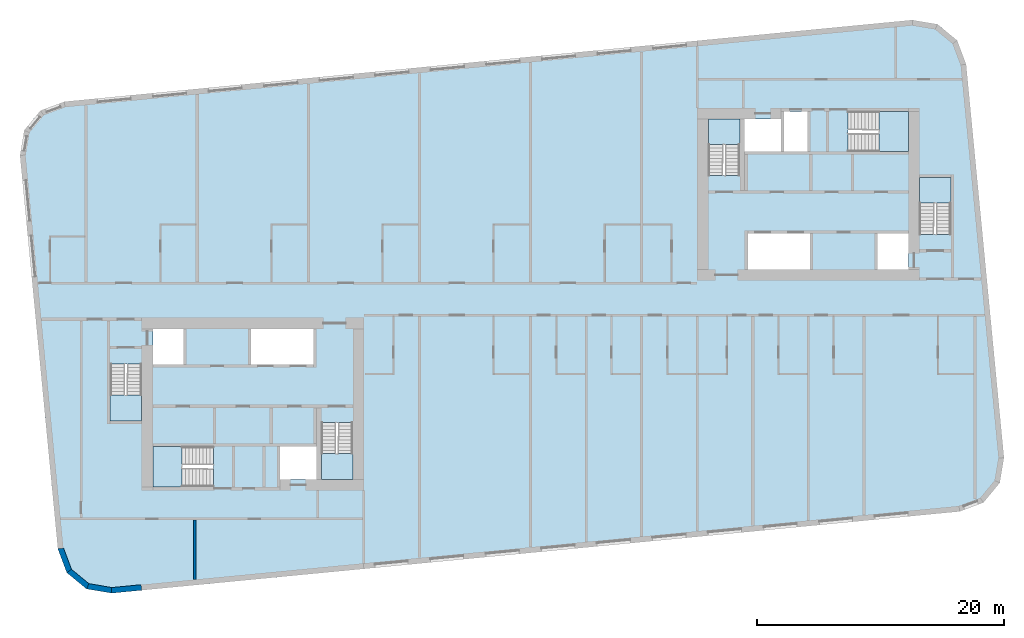
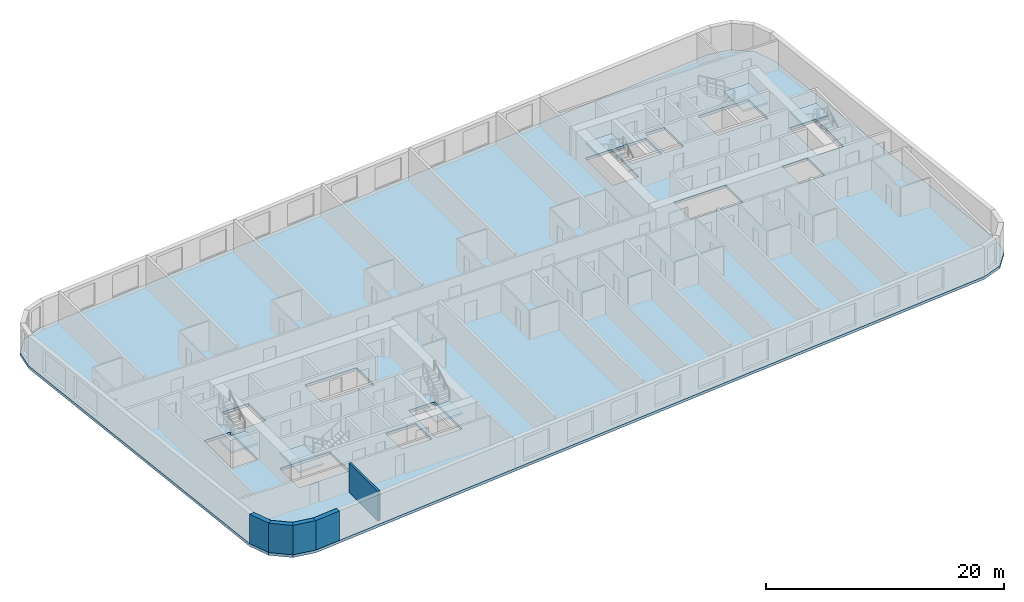
# One storey, part 1 of 11: 7 slabs, 5 walls, 6 elements without a shape of their own.
"""IFC4 building model written with IfcOpenShell, lengths in metres."""

from ifc_helpers import new_model, si_unit, direction, frame, frame_2d, origin, place, context, subcontext, project, spatial, polyline, rectangle, outline, extrude, material, layer, layer_set, type_object, element, aggregate, save


model = new_model("IFC4")

# Units and contexts
model_context = context("Model", 3, precision=1e-05, world=origin(), true_north=direction((0.0, 1.0)))
body_context = subcontext(model_context, "Body", "Model", "MODEL_VIEW")
ifc_project = project(units=[si_unit("LENGTHUNIT", "METRE"), si_unit("AREAUNIT", "SQUARE_METRE"), si_unit("VOLUMEUNIT", "CUBIC_METRE"), si_unit("PLANEANGLEUNIT", "RADIAN"), si_unit("MASSUNIT", "GRAM", prefix="KILO")], contexts=[model_context])

# Site, building, storey
site_placement = place(None, origin())
site = spatial("IfcSite", under=ifc_project, at=site_placement, CompositionType="ELEMENT")
building_placement = place(site_placement, origin())
building = spatial("IfcBuilding", under=site, at=building_placement, Name="Kajstack Hotel Tower", CompositionType="ELEMENT")
storey_placement = place(building_placement, frame((0.0, 0.0, 285.0)))
storey = spatial("IfcBuildingStorey", under=building, at=storey_placement, Name="L71", CompositionType="ELEMENT", Elevation=285.0)

# Slab
ifc_material_1 = material(Name="Concrete C40/50", Category="concrete")
ifc_layer_1 = layer(ifc_material_1, 0.280029296875)
ifc_layer_set_1 = layer_set([ifc_layer_1], Name="RC slab 280 C40/50 guest")
slab_type_1 = type_object("IfcSlabType", Name="RC slab 280 C40/50 guest", PredefinedType="FLOOR", material=ifc_layer_set_1)
slab_1_placement = place(storey_placement, frame((0.0, 0.0, -0.280029296875)))
element("IfcSlab", 1, at=slab_1_placement, inside=storey, type_object=slab_type_1, Name="S-slab-L71", PredefinedType="FLOOR", context=body_context, shape_type="SweptSolid", body=[
    extrude(outline(polyline([(-41.356201171875, 11.63623046875), (-38.289306640625, -20.21630859375), (-37.564208984375, -22.15576171875), (-35.96630859375, -23.472900390625), (-33.92431640625, -23.814697265625), (34.758056640625, -17.201171875), (36.697509765625, -16.47607421875), (38.014404296875, -14.87841796875), (38.356201171875, -12.836181640625), (35.289306640625, 19.016357421875), (34.564208984375, 20.955810546875), (32.96630859375, 22.27294921875), (30.92431640625, 22.614501953125), (-37.758056640625, 16.001220703125), (-39.697509765625, 15.276123046875), (-41.014404296875, 13.678466796875), (-41.356201171875, 11.63623046875)]), holes=[polyline([(-22.64990234375, -5.300048828125), (-22.64990234375, -2.39990234375), (-17.60009765625, -2.39990234375), (-17.60009765625, -5.300048828125), (-22.64990234375, -5.300048828125)]), polyline([(-20.300048828125, -14.60009765625), (-17.35009765625, -14.60009765625), (-17.35009765625, -11.949951171875), (-20.300048828125, -11.949951171875), (-20.300048828125, -14.60009765625)]), polyline([(-30.60009765625, -5.300048828125), (-28.10009765625, -5.300048828125), (-28.10009765625, -2.39990234375), (-30.60009765625, -2.39990234375), (-30.60009765625, -5.300048828125)]), polyline([(17.60009765625, 2.39990234375), (17.60009765625, 5.300048828125), (22.64990234375, 5.300048828125), (22.64990234375, 2.39990234375), (17.60009765625, 2.39990234375)]), polyline([(20.300048828125, 14.60009765625), (17.35009765625, 14.60009765625), (17.35009765625, 11.949951171875), (20.300048828125, 11.949951171875), (20.300048828125, 14.60009765625)]), polyline([(30.60009765625, 5.300048828125), (28.10009765625, 5.300048828125), (28.10009765625, 2.39990234375), (30.60009765625, 2.39990234375), (30.60009765625, 5.300048828125)]), polyline([(-34.050048828125, -9.85009765625), (-31.5, -9.85009765625), (-31.5, -5.25), (-34.050048828125, -5.25), (-34.050048828125, -9.85009765625)]), polyline([(-16.949951171875, -14.60009765625), (-14.39990234375, -14.60009765625), (-14.39990234375, -10.0), (-16.949951171875, -10.0), (-16.949951171875, -14.60009765625)]), polyline([(-30.60009765625, -15.199951171875), (-25.699951171875, -15.199951171875), (-25.699951171875, -11.949951171875), (-30.60009765625, -11.949951171875), (-30.60009765625, -15.199951171875)]), polyline([(34.050048828125, 9.85009765625), (31.5, 9.85009765625), (31.5, 5.25), (34.050048828125, 5.25), (34.050048828125, 9.85009765625)]), polyline([(16.949951171875, 14.60009765625), (14.39990234375, 14.60009765625), (14.39990234375, 10.0), (16.949951171875, 10.0), (16.949951171875, 14.60009765625)]), polyline([(30.60009765625, 15.199951171875), (25.699951171875, 15.199951171875), (25.699951171875, 11.949951171875), (30.60009765625, 11.949951171875), (30.60009765625, 15.199951171875)]), polyline([(22.425048828125, 15.199951171875), (22.425048828125, 11.949951171875), (20.550048828125, 11.949951171875), (20.550048828125, 15.199951171875), (22.425048828125, 15.199951171875)])]), origin(), (0.0, 0.0, 1.0), 0.280029296875),
])

# Stair, slab
stair_type_1 = type_object("IfcStairType", Name="Exit stair 1200", PredefinedType="HALF_TURN_STAIR", material=ifc_material_1)
stair_1_placement = place(storey_placement, origin())
stair_1 = element("IfcStair", 2, at=stair_1_placement, inside=storey, type_object=stair_type_1, Name="L71 stair W1", PredefinedType="HALF_TURN_STAIR")
ifc_layer_2 = layer(ifc_material_1, 0.199951171875)
ifc_layer_set_2 = layer_set([ifc_layer_2], Name="Stair landing 200")
slab_type_2 = type_object("IfcSlabType", Name="Stair landing 200", PredefinedType="LANDING", material=ifc_layer_set_2)
slab_2_placement = place(storey_placement, frame((0.0, 0.0, 1.449951171875)))
slab_2 = element("IfcSlab", 3, at=slab_2_placement, type_object=slab_type_2, Name="W1 landing 1", PredefinedType="LANDING", context=body_context, shape_type="SweptSolid", body=[
    extrude(outline(polyline([(-34.050048828125, -7.77001953125), (-34.050048828125, -9.85009765625), (-31.5, -9.85009765625), (-31.5, -7.77001953125), (-34.050048828125, -7.77001953125)])), origin(), (0.0, 0.0, 1.0), 0.199951171875),
])
aggregate(stair_1, [slab_2])

stair_2_placement = place(storey_placement, origin())
stair_2 = element("IfcStair", 4, at=stair_2_placement, inside=storey, type_object=stair_type_1, Name="L71 stair W2", PredefinedType="HALF_TURN_STAIR")
slab_3_placement = place(storey_placement, frame((0.0, 0.0, 1.449951171875)))
slab_3 = element("IfcSlab", 5, at=slab_3_placement, type_object=slab_type_2, Name="W2 landing 1", PredefinedType="LANDING", context=body_context, shape_type="SweptSolid", body=[
    extrude(outline(polyline([(-16.949951171875, -12.52001953125), (-16.949951171875, -14.60009765625), (-14.39990234375, -14.60009765625), (-14.39990234375, -12.52001953125), (-16.949951171875, -12.52001953125)])), origin(), (0.0, 0.0, 1.0), 0.199951171875),
])
aggregate(stair_2, [slab_3])

stair_type_2 = type_object("IfcStairType", Name="Exit stair 1500", PredefinedType="HALF_TURN_STAIR", material=ifc_material_1)
stair_3_placement = place(storey_placement, origin())
stair_3 = element("IfcStair", 6, at=stair_3_placement, inside=storey, type_object=stair_type_2, Name="L71 stair W3", PredefinedType="HALF_TURN_STAIR")
slab_4_placement = place(storey_placement, frame((0.0, 0.0, 1.449951171875)))
slab_4 = element("IfcSlab", 7, at=slab_4_placement, type_object=slab_type_2, Name="W3 landing 1", PredefinedType="LANDING", context=body_context, shape_type="SweptSolid", body=[
    extrude(outline(polyline([(-28.219970703125, -11.949951171875), (-30.60009765625, -11.949951171875), (-30.60009765625, -15.199951171875), (-28.219970703125, -15.199951171875), (-28.219970703125, -11.949951171875)])), origin(), (0.0, 0.0, 1.0), 0.199951171875),
])
aggregate(stair_3, [slab_4])

stair_4_placement = place(storey_placement, origin())
stair_4 = element("IfcStair", 8, at=stair_4_placement, inside=storey, type_object=stair_type_1, Name="L71 stair E1", PredefinedType="HALF_TURN_STAIR")
slab_5_placement = place(storey_placement, frame((0.0, 0.0, 1.449951171875)))
slab_5 = element("IfcSlab", 9, at=slab_5_placement, type_object=slab_type_2, Name="E1 landing 1", PredefinedType="LANDING", context=body_context, shape_type="SweptSolid", body=[
    extrude(outline(polyline([(34.050048828125, 7.77001953125), (34.050048828125, 9.85009765625), (31.5, 9.85009765625), (31.5, 7.77001953125), (34.050048828125, 7.77001953125)])), origin(), (0.0, 0.0, 1.0), 0.199951171875),
])
aggregate(stair_4, [slab_5])

stair_5_placement = place(storey_placement, origin())
stair_5 = element("IfcStair", 10, at=stair_5_placement, inside=storey, type_object=stair_type_1, Name="L71 stair E2", PredefinedType="HALF_TURN_STAIR")
slab_6_placement = place(storey_placement, frame((0.0, 0.0, 1.449951171875)))
slab_6 = element("IfcSlab", 11, at=slab_6_placement, type_object=slab_type_2, Name="E2 landing 1", PredefinedType="LANDING", context=body_context, shape_type="SweptSolid", body=[
    extrude(outline(polyline([(16.949951171875, 12.52001953125), (16.949951171875, 14.60009765625), (14.39990234375, 14.60009765625), (14.39990234375, 12.52001953125), (16.949951171875, 12.52001953125)])), origin(), (0.0, 0.0, 1.0), 0.199951171875),
])
aggregate(stair_5, [slab_6])

stair_6_placement = place(storey_placement, origin())
stair_6 = element("IfcStair", 12, at=stair_6_placement, inside=storey, type_object=stair_type_2, Name="L71 stair E3", PredefinedType="HALF_TURN_STAIR")
slab_7_placement = place(storey_placement, frame((0.0, 0.0, 1.449951171875)))
slab_7 = element("IfcSlab", 13, at=slab_7_placement, type_object=slab_type_2, Name="E3 landing 1", PredefinedType="LANDING", context=body_context, shape_type="SweptSolid", body=[
    extrude(outline(polyline([(28.219970703125, 11.949951171875), (30.60009765625, 11.949951171875), (30.60009765625, 15.199951171875), (28.219970703125, 15.199951171875), (28.219970703125, 11.949951171875)])), origin(), (0.0, 0.0, 1.0), 0.199951171875),
])
aggregate(stair_6, [slab_7])

# Walls
ifc_material_2 = material(Name="Terracotta-faced brick masonry", Category="masonry")
ifc_layer_3 = layer(ifc_material_2, 0.449951171875)
ifc_layer_set_3 = layer_set([ifc_layer_3], Name="EW-TERRA")
wall_type_1 = type_object("IfcWallType", Name="EW-TERRA", PredefinedType="SOLIDWALL", material=ifc_layer_set_3)
wall_1_placement = place(storey_placement, frame((-38.078369140625, -20.1376953125, 0.0), z_axis=(0.0, 0.0, 1.0), x_axis=(0.350231589928, -0.936663137642, 0.0)))
element("IfcWall", 14, at=wall_1_placement, inside=storey, type_object=wall_type_1, Name="E-wall-L71-01-00", PredefinedType="SOLIDWALL", context=body_context, shape_type="SweptSolid", body=[
    extrude(outline(polyline([(0.0, -0.22509765625), (2.0703125, -0.22509765625), (1.949951171875, 0.224853515625), (0.120361328125, 0.224853515625), (0.0, -0.22509765625)])), origin(), (0.0, 0.0, 1.0), 3.02001953125),
])
wall_2_placement = place(storey_placement, frame((-37.4208984375, -21.982177734375, 0.0), z_axis=(0.0, 0.0, 1.0), x_axis=(0.771593176315, -0.636116318187, 0.0)))
element("IfcWall", 15, at=wall_2_placement, inside=storey, type_object=wall_type_1, Name="E-wall-L71-02-00", PredefinedType="SOLIDWALL", context=body_context, shape_type="SweptSolid", body=[
    extrude(outline(polyline([(0.0, -0.22509765625), (2.070556640625, -0.22509765625), (1.949951171875, 0.22509765625), (0.12060546875, 0.224853515625), (0.0, -0.22509765625)])), origin(), (0.0, 0.0, 1.0), 3.02001953125),
])
wall_3_placement = place(storey_placement, frame((-35.92919921875, -23.2509765625, 0.0), z_axis=(0.0, 0.0, 1.0), x_axis=(0.986278951104, -0.165087342366, 0.0)))
element("IfcWall", 16, at=wall_3_placement, inside=storey, type_object=wall_type_1, Name="E-wall-L71-03-00", PredefinedType="SOLIDWALL", context=body_context, shape_type="SweptSolid", body=[
    extrude(outline(polyline([(0.0, -0.22509765625), (2.070556640625, -0.224853515625), (1.949951171875, 0.22509765625), (0.12060546875, 0.22509765625), (0.0, -0.22509765625)])), origin(), (0.0, 0.0, 1.0), 3.02001953125),
])
wall_4_placement = place(storey_placement, frame((-33.94580078125, -23.590576171875, 0.0), z_axis=(0.0, 0.0, 1.0), x_axis=(0.995397635156, 0.095830829729, 0.0)))
element("IfcWall", 17, at=wall_4_placement, inside=storey, type_object=wall_type_1, Name="E-wall-L71-04-00", PredefinedType="SOLIDWALL", context=body_context, shape_type="SweptSolid", body=[
    extrude(rectangle(XDim=2.435546875, YDim=0.449951171875, at=frame_2d((1.2177734375, 0.0))), origin(), (0.0, 0.0, 1.0), 3.02001953125),
])
ifc_material_3 = material(Name="Gypsum board on steel studs, mineral wool", Category="steel")
ifc_layer_4 = layer(ifc_material_3, 0.199951171875)
ifc_layer_set_4 = layer_set([ifc_layer_4], Name="Service partition 200")
wall_type_2 = type_object("IfcWallType", Name="Service partition 200", PredefinedType="PARTITIONING", material=ifc_layer_set_4)
wall_5_placement = place(storey_placement, frame((-27.199951171875, -22.716064453125, 0.0), z_axis=(0.0, 0.0, 1.0), x_axis=(0.0, 1.0, 0.0)))
element("IfcWall", 18, at=wall_5_placement, inside=storey, type_object=wall_type_2, Name="Partition W SLP0", PredefinedType="PARTITIONING", context=body_context, shape_type="SweptSolid", body=[
    extrude(rectangle(XDim=4.816162109375, YDim=0.199951171875, at=frame_2d((2.408203125, 0.0))), origin(), (0.0, 0.0, 1.0), 3.02001953125),
])

save(model, "model.ifc")
